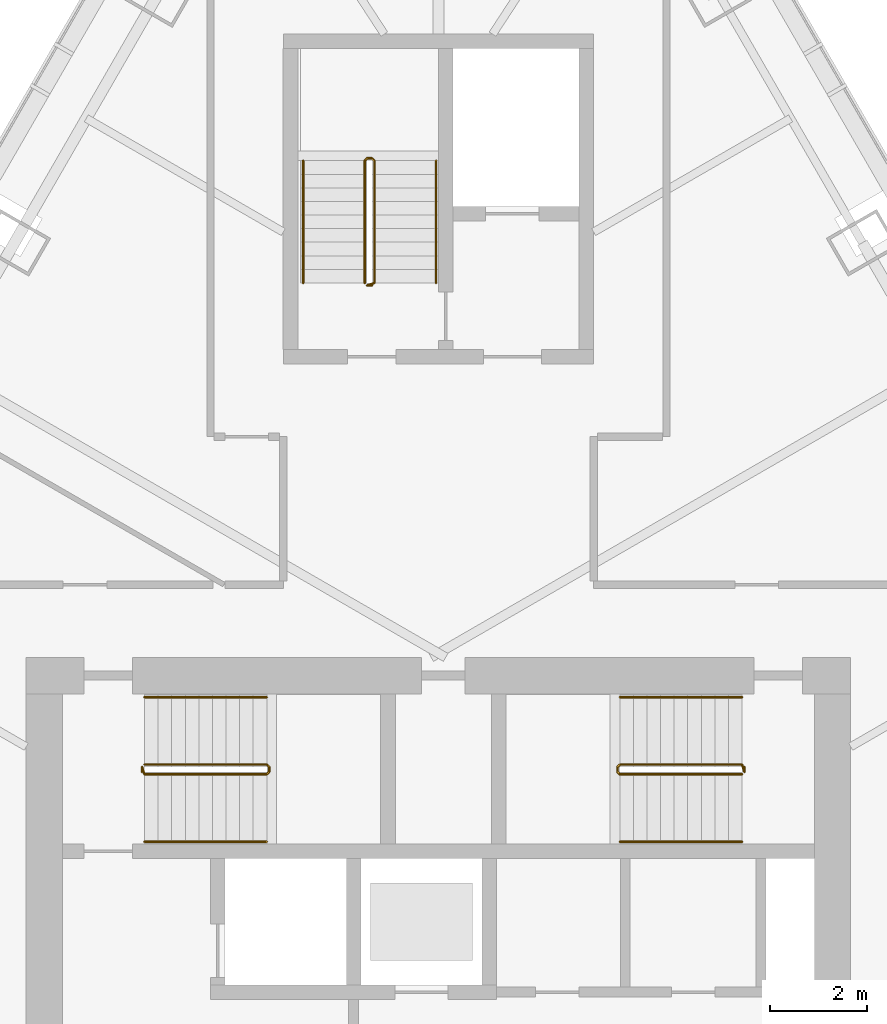
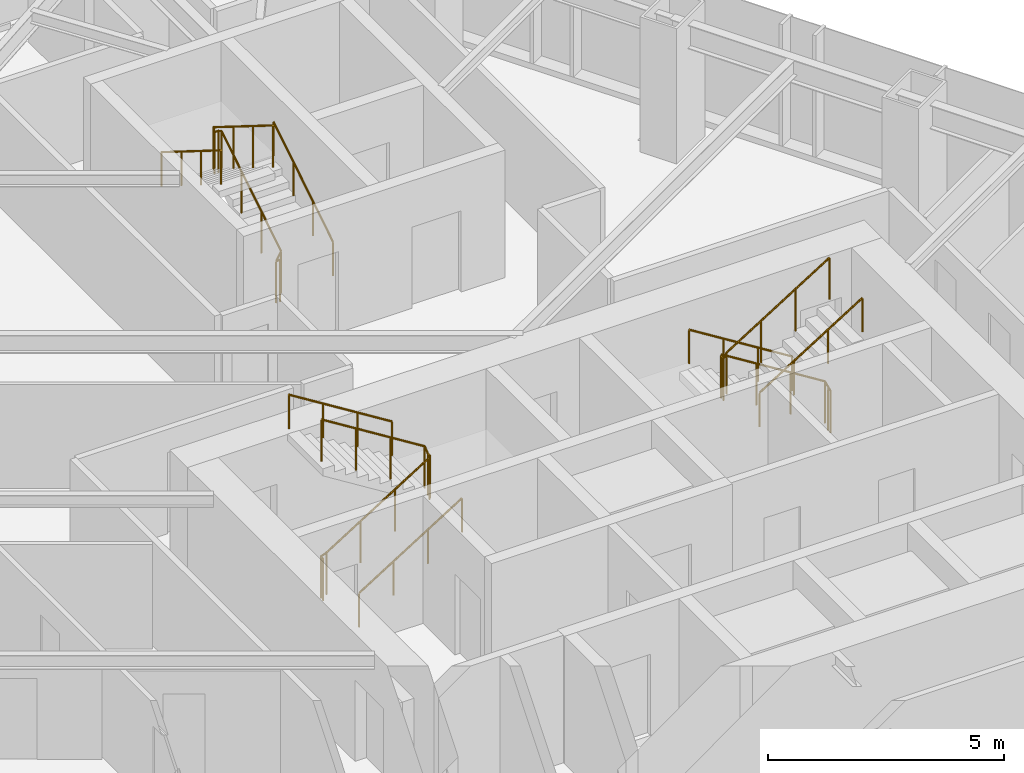
# One storey, part 14 of 15: 9 railings.
"""IFC4 building model written with IfcOpenShell, lengths in metres."""

from ifc_helpers import new_model, si_unit, direction, frame, origin, origin_2d, place, context, subcontext, project, spatial, circle, extrude, material, type_object, element, save


model = new_model("IFC4")

# Units and contexts
model_context = context("Model", 3, precision=1e-05, world=origin(), true_north=direction((0.0, 1.0)))
body_context = subcontext(model_context, "Body", "Model", "MODEL_VIEW")
ifc_project = project(units=[si_unit("LENGTHUNIT", "METRE"), si_unit("AREAUNIT", "SQUARE_METRE"), si_unit("VOLUMEUNIT", "CUBIC_METRE"), si_unit("PLANEANGLEUNIT", "RADIAN"), si_unit("MASSUNIT", "GRAM", prefix="KILO")], contexts=[model_context])

# Site, building, storey
site_placement = place(None, origin())
site = spatial("IfcSite", under=ifc_project, at=site_placement, CompositionType="ELEMENT")
building_placement = place(site_placement, origin())
building = spatial("IfcBuilding", under=site, at=building_placement, Name="Firuza Gate Tower and Library", CompositionType="ELEMENT")
storey_placement = place(building_placement, frame((0.0, 0.0, 309.10009765625)))
storey = spatial("IfcBuildingStorey", under=building, at=storey_placement, Name="L75", CompositionType="ELEMENT", Elevation=309.10009765625)

# Railings
ifc_material_1 = material(Name="Steel S355", Category="steel")
railing_type_1 = type_object("IfcRailingType", Name="Stair guard 1100", PredefinedType="GUARDRAIL", material=ifc_material_1)
railing_1_placement = place(storey_placement, frame((68.889892578125, 79.389892578125, 0.0)))
element("IfcRailing", 1, at=railing_1_placement, inside=storey, type_object=railing_type_1, Name="L75 ST1 stair guard 1", PredefinedType="GUARDRAIL", context=body_context, shape_type="SweptSolid", body=[
    extrude(circle(Radius=0.02392578125, at=origin_2d()), frame((0.0, 0.0, 1.076171875), z_axis=(0.0, 1.0, 0.0), x_axis=(-1.0, 0.0, 0.0)), (0.0, 0.0, 1.0), 0.10009765625),
    extrude(circle(Radius=0.02392578125, at=origin_2d()), frame((0.0, 0.10009765625, 1.076171875), z_axis=(0.212383695785, -0.636115069328, 0.741788908207), x_axis=(0.948528701346, 0.316691178788, 0.0)), (0.0, 0.0, 1.0), 0.235595703125),
    extrude(circle(Radius=0.02392578125, at=origin_2d()), frame((0.050048828125, -0.0498046875, 1.2509765625), z_axis=(0.847970611238, 0.0, 0.530043245855), x_axis=(0.0, 1.0, 0.0)), (0.0, 0.0, 1.0), 2.971923828125),
    extrude(circle(Radius=0.02392578125, at=origin_2d()), frame((2.570068359375, -0.0498046875, 2.826171875), z_axis=(0.708833529934, 0.705375805398, 0.0), x_axis=(-0.705375805398, 0.708833529934, 0.0)), (0.0, 0.0, 1.0), 0.070556640625),
    extrude(circle(Radius=0.02392578125, at=origin_2d()), frame((2.6201171875, 0.0, 2.826171875), z_axis=(0.0, 1.0, 0.0), x_axis=(-1.0, 0.0, 0.0)), (0.0, 0.0, 1.0), 0.10009765625),
    extrude(circle(Radius=0.02392578125, at=origin_2d()), frame((2.6201171875, 0.10009765625, 2.826171875), z_axis=(-0.265383341853, 0.265383341853, 0.926899867156), x_axis=(-0.707106781187, -0.707106781187, 0.0)), (0.0, 0.0, 1.0), 0.1884765625),
    extrude(circle(Radius=0.02392578125, at=origin_2d()), frame((2.570068359375, 0.150146484375, 3.0009765625), z_axis=(-0.847970611238, 0.0, 0.530043245855), x_axis=(0.0, -1.0, 0.0)), (0.0, 0.0, 1.0), 2.971923828125),
    extrude(circle(Radius=0.02099609375, at=origin_2d()), origin(), (0.0, 0.0, 1.0), 1.052001953125),
    extrude(circle(Radius=0.02099609375, at=origin_2d()), frame((0.0, 0.10009765625, 0.0)), (0.0, 0.0, 1.0), 1.052001953125),
    extrude(circle(Radius=0.02099609375, at=origin_2d()), frame((0.050048828125, -0.0498046875, 0.1748046875)), (0.0, 0.0, 1.0), 1.052001953125),
    extrude(circle(Radius=0.02099609375, at=origin_2d()), frame((0.89013671875, -0.0498046875, 0.699951171875)), (0.0, 0.0, 1.0), 1.052001953125),
    extrude(circle(Radius=0.02099609375, at=origin_2d()), frame((1.72998046875, -0.0498046875, 1.224853515625)), (0.0, 0.0, 1.0), 1.052001953125),
    extrude(circle(Radius=0.02099609375, at=origin_2d()), frame((2.570068359375, -0.0498046875, 1.75)), (0.0, 0.0, 1.0), 1.052001953125),
    extrude(circle(Radius=0.02099609375, at=origin_2d()), frame((2.6201171875, 0.0, 1.75)), (0.0, 0.0, 1.0), 1.052001953125),
    extrude(circle(Radius=0.02099609375, at=origin_2d()), frame((2.6201171875, 0.10009765625, 1.75)), (0.0, 0.0, 1.0), 1.052001953125),
    extrude(circle(Radius=0.02099609375, at=origin_2d()), frame((2.570068359375, 0.150146484375, 1.9248046875)), (0.0, 0.0, 1.0), 1.052001953125),
    extrude(circle(Radius=0.02099609375, at=origin_2d()), frame((1.72998046875, 0.150146484375, 2.449951171875)), (0.0, 0.0, 1.0), 1.052001953125),
    extrude(circle(Radius=0.02099609375, at=origin_2d()), frame((0.89013671875, 0.150146484375, 2.974853515625)), (0.0, 0.0, 1.0), 1.052001953125),
    extrude(circle(Radius=0.02099609375, at=origin_2d()), frame((0.050048828125, 0.150146484375, 3.5)), (0.0, 0.0, 1.0), 1.052001953125),
])
railing_2_placement = place(storey_placement, frame((81.31005859375, 79.489990234375, 0.0)))
element("IfcRailing", 2, at=railing_2_placement, inside=storey, type_object=railing_type_1, Name="L75 ST2 stair guard 1", PredefinedType="GUARDRAIL", context=body_context, shape_type="SweptSolid", body=[
    extrude(circle(Radius=0.02392578125, at=origin_2d()), frame((0.0, 0.0, 1.076171875), z_axis=(0.0, -1.0, 0.0), x_axis=(1.0, 0.0, 0.0)), (0.0, 0.0, 1.0), 0.10009765625),
    extrude(circle(Radius=0.02392578125, at=origin_2d()), frame((0.0, -0.10009765625, 1.076171875), z_axis=(-0.21224375372, 0.63673126116, 0.741300134944), x_axis=(-0.948683298051, -0.316227766017, 0.0)), (0.0, 0.0, 1.0), 0.23583984375),
    extrude(circle(Radius=0.02392578125, at=origin_2d()), frame((-0.050048828125, 0.050048828125, 1.2509765625), z_axis=(-0.847970611238, 0.0, 0.530043245855), x_axis=(0.0, -1.0, 0.0)), (0.0, 0.0, 1.0), 2.971923828125),
    extrude(circle(Radius=0.02392578125, at=origin_2d()), frame((-2.570068359375, 0.050048828125, 2.826171875), z_axis=(-0.707106781187, -0.707106781187, 0.0), x_axis=(0.707106781187, -0.707106781187, 0.0)), (0.0, 0.0, 1.0), 0.07080078125),
    extrude(circle(Radius=0.02392578125, at=origin_2d()), frame((-2.6201171875, 0.0, 2.826171875), z_axis=(0.0, -1.0, 0.0), x_axis=(1.0, 0.0, 0.0)), (0.0, 0.0, 1.0), 0.10009765625),
    extrude(circle(Radius=0.02392578125, at=origin_2d()), frame((-2.6201171875, -0.10009765625, 2.826171875), z_axis=(0.265474339444, -0.264179342666, 0.927217692888), x_axis=(0.705375805398, 0.708833529934, 0.0)), (0.0, 0.0, 1.0), 0.1884765625),
    extrude(circle(Radius=0.02392578125, at=origin_2d()), frame((-2.570068359375, -0.14990234375, 3.0009765625), z_axis=(0.847970611238, 0.0, 0.530043245855), x_axis=(0.0, 1.0, 0.0)), (0.0, 0.0, 1.0), 2.971923828125),
    extrude(circle(Radius=0.02099609375, at=origin_2d()), origin(), (0.0, 0.0, 1.0), 1.052001953125),
    extrude(circle(Radius=0.02099609375, at=origin_2d()), frame((0.0, -0.10009765625, 0.0)), (0.0, 0.0, 1.0), 1.052001953125),
    extrude(circle(Radius=0.02099609375, at=origin_2d()), frame((-0.050048828125, 0.050048828125, 0.1748046875)), (0.0, 0.0, 1.0), 1.052001953125),
    extrude(circle(Radius=0.02099609375, at=origin_2d()), frame((-0.89013671875, 0.050048828125, 0.699951171875)), (0.0, 0.0, 1.0), 1.052001953125),
    extrude(circle(Radius=0.02099609375, at=origin_2d()), frame((-1.72998046875, 0.050048828125, 1.224853515625)), (0.0, 0.0, 1.0), 1.052001953125),
    extrude(circle(Radius=0.02099609375, at=origin_2d()), frame((-2.570068359375, 0.050048828125, 1.75)), (0.0, 0.0, 1.0), 1.052001953125),
    extrude(circle(Radius=0.02099609375, at=origin_2d()), frame((-2.6201171875, 0.0, 1.75)), (0.0, 0.0, 1.0), 1.052001953125),
    extrude(circle(Radius=0.02099609375, at=origin_2d()), frame((-2.6201171875, -0.10009765625, 1.75)), (0.0, 0.0, 1.0), 1.052001953125),
    extrude(circle(Radius=0.02099609375, at=origin_2d()), frame((-2.570068359375, -0.14990234375, 1.9248046875)), (0.0, 0.0, 1.0), 1.052001953125),
    extrude(circle(Radius=0.02099609375, at=origin_2d()), frame((-1.72998046875, -0.14990234375, 2.449951171875)), (0.0, 0.0, 1.0), 1.052001953125),
    extrude(circle(Radius=0.02099609375, at=origin_2d()), frame((-0.89013671875, -0.14990234375, 2.974853515625)), (0.0, 0.0, 1.0), 1.052001953125),
    extrude(circle(Radius=0.02099609375, at=origin_2d()), frame((-0.050048828125, -0.14990234375, 3.5)), (0.0, 0.0, 1.0), 1.052001953125),
])
railing_3_placement = place(storey_placement, frame((73.6298828125, 89.419921875, 0.0)))
element("IfcRailing", 3, at=railing_3_placement, inside=storey, type_object=railing_type_1, Name="L75 ST3 stair guard 1", PredefinedType="GUARDRAIL", context=body_context, shape_type="SweptSolid", body=[
    extrude(circle(Radius=0.02392578125, at=origin_2d()), frame((0.0, 0.0, 1.076171875), z_axis=(-1.0, 0.0, 0.0), x_axis=(0.0, -1.0, 0.0)), (0.0, 0.0, 1.0), 0.099853515625),
    extrude(circle(Radius=0.02392578125, at=origin_2d()), frame((-0.099853515625, 0.0, 1.076171875), z_axis=(0.636115069328, 0.212383695785, 0.741788908207), x_axis=(-0.316691178788, 0.948528701346, 0.0)), (0.0, 0.0, 1.0), 0.235595703125),
    extrude(circle(Radius=0.02392578125, at=origin_2d()), frame((0.050048828125, 0.050048828125, 1.2509765625), z_axis=(0.0, 0.847970611238, 0.530043245855), x_axis=(-1.0, 0.0, 0.0)), (0.0, 0.0, 1.0), 2.971923828125),
    extrude(circle(Radius=0.02392578125, at=origin_2d()), frame((0.050048828125, 2.570068359375, 2.826171875), z_axis=(-0.707106781187, 0.707106781187, 0.0), x_axis=(-0.707106781187, -0.707106781187, 0.0)), (0.0, 0.0, 1.0), 0.07080078125),
    extrude(circle(Radius=0.02392578125, at=origin_2d()), frame((0.0, 2.6201171875, 2.826171875), z_axis=(-1.0, 0.0, 0.0), x_axis=(0.0, -1.0, 0.0)), (0.0, 0.0, 1.0), 0.099853515625),
    extrude(circle(Radius=0.02392578125, at=origin_2d()), frame((-0.099853515625, 2.6201171875, 2.826171875), z_axis=(-0.265383341853, -0.265383341853, 0.926899867156), x_axis=(0.707106781187, -0.707106781187, 0.0)), (0.0, 0.0, 1.0), 0.1884765625),
    extrude(circle(Radius=0.02392578125, at=origin_2d()), frame((-0.14990234375, 2.570068359375, 3.0009765625), z_axis=(0.0, -0.847970611238, 0.530043245855), x_axis=(1.0, 0.0, 0.0)), (0.0, 0.0, 1.0), 2.971923828125),
    extrude(circle(Radius=0.02099609375, at=origin_2d()), origin(), (0.0, 0.0, 1.0), 1.052001953125),
    extrude(circle(Radius=0.02099609375, at=origin_2d()), frame((-0.099853515625, 0.0, 0.0)), (0.0, 0.0, 1.0), 1.052001953125),
    extrude(circle(Radius=0.02099609375, at=origin_2d()), frame((0.050048828125, 0.050048828125, 0.1748046875)), (0.0, 0.0, 1.0), 1.052001953125),
    extrude(circle(Radius=0.02099609375, at=origin_2d()), frame((0.050048828125, 0.89013671875, 0.699951171875)), (0.0, 0.0, 1.0), 1.052001953125),
    extrude(circle(Radius=0.02099609375, at=origin_2d()), frame((0.050048828125, 1.72998046875, 1.224853515625)), (0.0, 0.0, 1.0), 1.052001953125),
    extrude(circle(Radius=0.02099609375, at=origin_2d()), frame((0.050048828125, 2.570068359375, 1.75)), (0.0, 0.0, 1.0), 1.052001953125),
    extrude(circle(Radius=0.02099609375, at=origin_2d()), frame((0.0, 2.6201171875, 1.75)), (0.0, 0.0, 1.0), 1.052001953125),
    extrude(circle(Radius=0.02099609375, at=origin_2d()), frame((-0.099853515625, 2.6201171875, 1.75)), (0.0, 0.0, 1.0), 1.052001953125),
    extrude(circle(Radius=0.02099609375, at=origin_2d()), frame((-0.14990234375, 2.570068359375, 1.9248046875)), (0.0, 0.0, 1.0), 1.052001953125),
    extrude(circle(Radius=0.02099609375, at=origin_2d()), frame((-0.14990234375, 1.72998046875, 2.449951171875)), (0.0, 0.0, 1.0), 1.052001953125),
    extrude(circle(Radius=0.02099609375, at=origin_2d()), frame((-0.14990234375, 0.89013671875, 2.974853515625)), (0.0, 0.0, 1.0), 1.052001953125),
    extrude(circle(Radius=0.02099609375, at=origin_2d()), frame((-0.14990234375, 0.050048828125, 3.5)), (0.0, 0.0, 1.0), 1.052001953125),
])
ifc_material_2 = material(Name="Steel S355", Category="steel")
railing_type_2 = type_object("IfcRailingType", Name="Stair handrail 900", PredefinedType="HANDRAIL", material=ifc_material_2)
railing_4_placement = place(storey_placement, frame((68.93994140625, 77.949951171875, 0.1748046875)))
element("IfcRailing", 4, at=railing_4_placement, inside=storey, type_object=railing_type_2, Name="L75 ST1 stair handrail 1", PredefinedType="HANDRAIL", context=body_context, shape_type="SweptSolid", body=[
    extrude(circle(Radius=0.02392578125, at=origin_2d()), frame((0.0, 0.0, 0.8759765625), z_axis=(0.847970611238, 0.0, 0.530043245855), x_axis=(0.0, 1.0, 0.0)), (0.0, 0.0, 1.0), 2.971923828125),
    extrude(circle(Radius=0.02099609375, at=origin_2d()), origin(), (0.0, 0.0, 1.0), 0.851806640625),
    extrude(circle(Radius=0.02099609375, at=origin_2d()), frame((0.840087890625, 0.0, 0.525146484375)), (0.0, 0.0, 1.0), 0.851806640625),
    extrude(circle(Radius=0.02099609375, at=origin_2d()), frame((1.679931640625, 0.0, 1.050048828125)), (0.0, 0.0, 1.0), 0.851806640625),
    extrude(circle(Radius=0.02099609375, at=origin_2d()), frame((2.52001953125, 0.0, 1.5751953125)), (0.0, 0.0, 1.0), 0.851806640625),
])
for number, where, name in (
    (5, (71.4599609375, 80.929931640625, 1.9248046875), "L75 ST1 stair handrail 2"),
    (6, (81.260009765625, 80.929931640625, 0.1748046875), "L75 ST2 stair handrail 1"),
):
    element("IfcRailing", number, at=place(storey_placement, frame(where)), inside=storey, type_object=railing_type_2, Name=name, PredefinedType="HANDRAIL", context=body_context, shape_type="SweptSolid", body=[
        extrude(circle(Radius=0.02392578125, at=origin_2d()), frame((0.0, 0.0, 0.8759765625), z_axis=(-0.847970611238, 0.0, 0.530043245855), x_axis=(0.0, -1.0, 0.0)), (0.0, 0.0, 1.0), 2.971923828125),
        extrude(circle(Radius=0.02099609375, at=origin_2d()), origin(), (0.0, 0.0, 1.0), 0.851806640625),
        extrude(circle(Radius=0.02099609375, at=origin_2d()), frame((-0.840087890625, 0.0, 0.525146484375)), (0.0, 0.0, 1.0), 0.851806640625),
        extrude(circle(Radius=0.02099609375, at=origin_2d()), frame((-1.679931640625, 0.0, 1.050048828125)), (0.0, 0.0, 1.0), 0.851806640625),
        extrude(circle(Radius=0.02099609375, at=origin_2d()), frame((-2.52001953125, 0.0, 1.5751953125)), (0.0, 0.0, 1.0), 0.851806640625),
    ])
railing_5_placement = place(storey_placement, frame((78.739990234375, 77.949951171875, 1.9248046875)))
element("IfcRailing", 7, at=railing_5_placement, inside=storey, type_object=railing_type_2, Name="L75 ST2 stair handrail 2", PredefinedType="HANDRAIL", context=body_context, shape_type="SweptSolid", body=[
    extrude(circle(Radius=0.02392578125, at=origin_2d()), frame((0.0, 0.0, 0.8759765625), z_axis=(0.847970611238, 0.0, 0.530043245855), x_axis=(0.0, 1.0, 0.0)), (0.0, 0.0, 1.0), 2.971923828125),
    extrude(circle(Radius=0.02099609375, at=origin_2d()), origin(), (0.0, 0.0, 1.0), 0.851806640625),
    extrude(circle(Radius=0.02099609375, at=origin_2d()), frame((0.840087890625, 0.0, 0.525146484375)), (0.0, 0.0, 1.0), 0.851806640625),
    extrude(circle(Radius=0.02099609375, at=origin_2d()), frame((1.679931640625, 0.0, 1.050048828125)), (0.0, 0.0, 1.0), 0.851806640625),
    extrude(circle(Radius=0.02099609375, at=origin_2d()), frame((2.52001953125, 0.0, 1.5751953125)), (0.0, 0.0, 1.0), 0.851806640625),
])
railing_6_placement = place(storey_placement, frame((74.949951171875, 89.469970703125, 0.1748046875)))
element("IfcRailing", 8, at=railing_6_placement, inside=storey, type_object=railing_type_2, Name="L75 ST3 stair handrail 1", PredefinedType="HANDRAIL", context=body_context, shape_type="SweptSolid", body=[
    extrude(circle(Radius=0.02392578125, at=origin_2d()), frame((0.0, 0.0, 0.8759765625), z_axis=(0.0, 0.847970611238, 0.530043245855), x_axis=(-1.0, 0.0, 0.0)), (0.0, 0.0, 1.0), 2.971923828125),
    extrude(circle(Radius=0.02099609375, at=origin_2d()), origin(), (0.0, 0.0, 1.0), 0.851806640625),
    extrude(circle(Radius=0.02099609375, at=origin_2d()), frame((0.0, 0.840087890625, 0.525146484375)), (0.0, 0.0, 1.0), 0.851806640625),
    extrude(circle(Radius=0.02099609375, at=origin_2d()), frame((0.0, 1.679931640625, 1.050048828125)), (0.0, 0.0, 1.0), 0.851806640625),
    extrude(circle(Radius=0.02099609375, at=origin_2d()), frame((0.0, 2.52001953125, 1.5751953125)), (0.0, 0.0, 1.0), 0.851806640625),
])
railing_7_placement = place(storey_placement, frame((72.2099609375, 91.989990234375, 1.9248046875)))
element("IfcRailing", 9, at=railing_7_placement, inside=storey, type_object=railing_type_2, Name="L75 ST3 stair handrail 2", PredefinedType="HANDRAIL", context=body_context, shape_type="SweptSolid", body=[
    extrude(circle(Radius=0.02392578125, at=origin_2d()), frame((0.0, 0.0, 0.8759765625), z_axis=(0.0, -0.847970611238, 0.530043245855), x_axis=(1.0, 0.0, 0.0)), (0.0, 0.0, 1.0), 2.971923828125),
    extrude(circle(Radius=0.02099609375, at=origin_2d()), origin(), (0.0, 0.0, 1.0), 0.851806640625),
    extrude(circle(Radius=0.02099609375, at=origin_2d()), frame((0.0, -0.840087890625, 0.525146484375)), (0.0, 0.0, 1.0), 0.851806640625),
    extrude(circle(Radius=0.02099609375, at=origin_2d()), frame((0.0, -1.679931640625, 1.050048828125)), (0.0, 0.0, 1.0), 0.851806640625),
    extrude(circle(Radius=0.02099609375, at=origin_2d()), frame((0.0, -2.52001953125, 1.5751953125)), (0.0, 0.0, 1.0), 0.851806640625),
])

save(model, "model.ifc")
